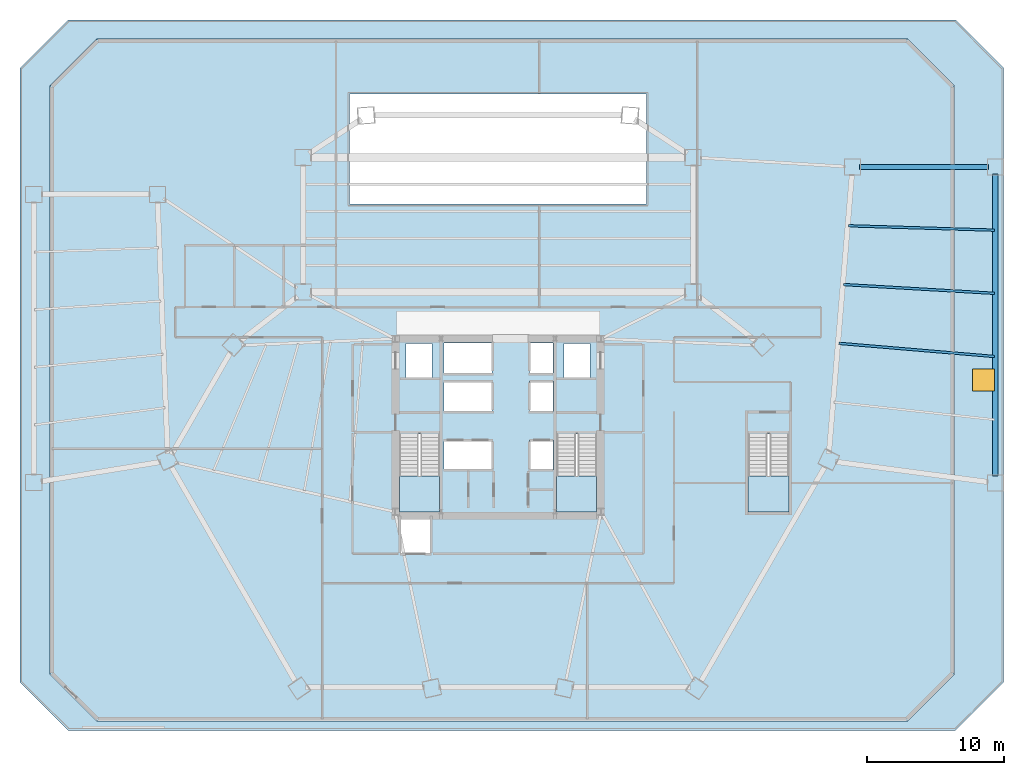
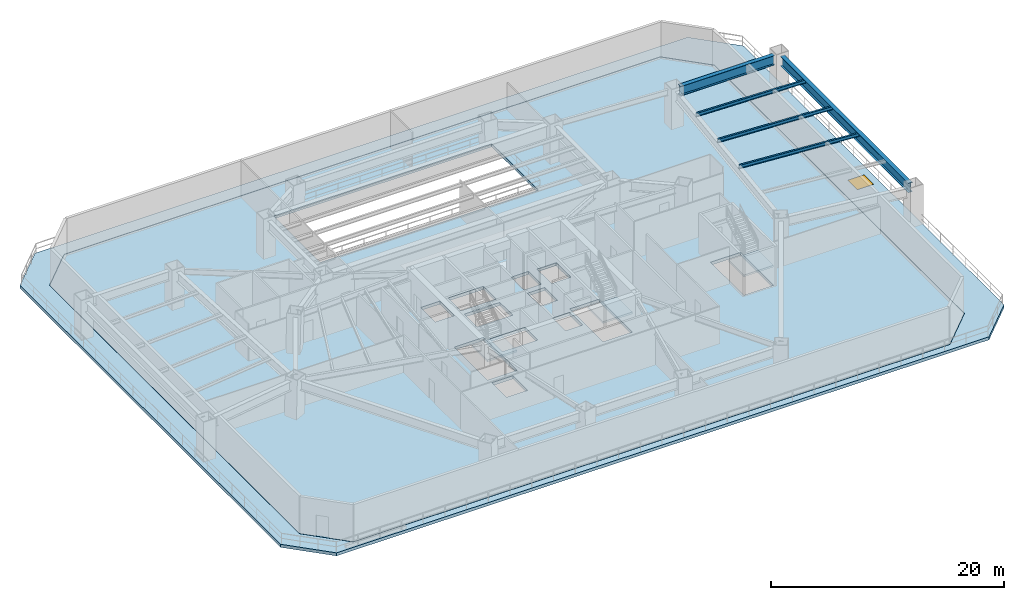
# One storey, part 4 of 12: 5 beams, 5 slabs, 1 window, 1 opening, 3 elements without a shape of their own.
"""IFC4 building model written with IfcOpenShell, lengths in metres."""

from ifc_helpers import new_model, si_unit, direction, frame, origin, origin_2d, place, context, subcontext, project, spatial, polyline, rectangle, i_section, outline, extrude, source, transform, mapped, material, layer, layer_set, material_profile, profile_set, type_object, type_shapes, element, fill, aggregate, save


model = new_model("IFC4")

# Units and contexts
model_context = context("Model", 3, precision=1e-05, world=origin(), true_north=direction((0.0, 1.0)))
body_context = subcontext(model_context, "Body", "Model", "MODEL_VIEW")
ifc_project = project(units=[si_unit("LENGTHUNIT", "METRE"), si_unit("AREAUNIT", "SQUARE_METRE"), si_unit("VOLUMEUNIT", "CUBIC_METRE"), si_unit("PLANEANGLEUNIT", "RADIAN"), si_unit("MASSUNIT", "GRAM", prefix="KILO")], contexts=[model_context])

# Site, building, storey
site_placement = place(None, origin())
site = spatial("IfcSite", under=ifc_project, at=site_placement, CompositionType="ELEMENT")
building_placement = place(site_placement, origin())
building = spatial("IfcBuilding", under=site, at=building_placement, Name="Caelisora Broadcast Tower", CompositionType="ELEMENT")
storey_placement = place(building_placement, frame((0.0, 0.0, 14.699951171875)))
storey = spatial("IfcBuildingStorey", under=building, at=storey_placement, Name="L03", CompositionType="ELEMENT", Elevation=14.699951171875)

# Beams
ifc_material_1 = material(Name="Steel Grade 350 (AS/NZS 3679.2)", Category="steel")
ifc_material_profile_1 = material_profile(ifc_material_1, i_section(OverallWidth=0.39990234375, OverallDepth=1.0, WebThickness=0.01611328125, FlangeThickness=0.028076171875, at=origin_2d()), Name="Steel Grade 350 (AS/NZS 3679.2)")
ifc_profile_set_1 = profile_set([ifc_material_profile_1], Name="Steel Grade 350 (AS/NZS 3679.2)")
beam_type_1 = type_object("IfcBeamType", Name="PG01", PredefinedType="BEAM", material=ifc_profile_set_1)
shared_shape_1 = source(origin(), body_context, "Body", "SweptSolid", [
    extrude(i_section(OverallWidth=0.39990234375, OverallDepth=1.0, WebThickness=0.01611328125, FlangeThickness=0.028076171875, at=origin_2d()), origin(), (0.0, 0.0, 1.0), 9.375),
])
beam_1_placement = place(storey_placement, frame((64.3125, 42.5, 3.380126953125), z_axis=(1.0, 0.0, 0.0), x_axis=(0.0, 1.0, 0.0)))
element("IfcBeam", 1, at=beam_1_placement, inside=storey, type_object=beam_type_1, Name="L03 beam PG01", PredefinedType="BEAM", context=body_context, shape_type="MappedRepresentation", body=[
    mapped(shared_shape_1, transform((0.0, 0.0, 0.0), scale=1.0)),
])
shared_shape_2 = source(origin(), body_context, "Body", "SweptSolid", [
    extrude(i_section(OverallWidth=0.39990234375, OverallDepth=1.0, WebThickness=0.01611328125, FlangeThickness=0.028076171875, at=origin_2d()), origin(), (0.0, 0.0, 1.0), 21.97509765625),
])
type_shapes(beam_type_1, [shared_shape_1, shared_shape_2])
beam_2_placement = place(storey_placement, frame((74.199951171875, 20.012451171875, 3.380126953125), z_axis=(0.0, 1.0, 0.0), x_axis=(-1.0, 0.0, 0.0)))
element("IfcBeam", 2, at=beam_2_placement, inside=storey, type_object=beam_type_1, Name="L03 beam PG01", PredefinedType="BEAM", context=body_context, shape_type="MappedRepresentation", body=[
    mapped(shared_shape_2, transform((0.0, 0.0, 0.0), scale=1.0)),
])
ifc_material_2 = material(Name="Steel Grade 350 (AS/NZS 3679.1)", Category="steel")
ifc_material_profile_2 = material_profile(ifc_material_2, i_section(OverallWidth=0.172119140625, OverallDepth=0.358642578125, WebThickness=0.008056640625, FlangeThickness=0.012939453125, at=origin_2d()), Name="Steel Grade 350 (AS/NZS 3679.1)")
ifc_profile_set_2 = profile_set([ifc_material_profile_2], Name="Steel Grade 350 (AS/NZS 3679.1)")
beam_type_2 = type_object("IfcBeamType", Name="SB02", PredefinedType="JOIST", material=ifc_profile_set_2)
shared_shape_3 = source(origin(), body_context, "Body", "SweptSolid", [
    extrude(i_section(OverallWidth=0.172119140625, OverallDepth=0.358642578125, WebThickness=0.008056640625, FlangeThickness=0.012939453125, at=origin_2d()), origin(), (0.0, 0.0, 1.0), 11.380126953125),
])
beam_3_placement = place(storey_placement, frame((62.800537109375, 29.664306640625, 3.70068359375), z_axis=(0.996441265469, -0.084290002197, 0.0), x_axis=(0.084290002197, 0.996441265469, 0.0)))
element("IfcBeam", 3, at=beam_3_placement, inside=storey, type_object=beam_type_2, Name="L03 beam SB02", PredefinedType="JOIST", context=body_context, shape_type="MappedRepresentation", body=[
    mapped(shared_shape_3, transform((0.0, 0.0, 0.0), scale=1.0)),
])
shared_shape_4 = source(origin(), body_context, "Body", "SweptSolid", [
    extrude(i_section(OverallWidth=0.172119140625, OverallDepth=0.358642578125, WebThickness=0.008056640625, FlangeThickness=0.012939453125, at=origin_2d()), origin(), (0.0, 0.0, 1.0), 11.0048828125),
])
beam_4_placement = place(storey_placement, frame((63.15380859375, 33.94287109375, 3.70068359375), z_axis=(0.998310670414, -0.058101681018, 0.0), x_axis=(0.058101681018, 0.998310670414, 0.0)))
element("IfcBeam", 4, at=beam_4_placement, inside=storey, type_object=beam_type_2, Name="L03 beam SB02", PredefinedType="JOIST", context=body_context, shape_type="MappedRepresentation", body=[
    mapped(shared_shape_4, transform((0.0, 0.0, 0.0), scale=1.0)),
])
shared_shape_5 = source(origin(), body_context, "Body", "SweptSolid", [
    extrude(i_section(OverallWidth=0.172119140625, OverallDepth=0.358642578125, WebThickness=0.008056640625, FlangeThickness=0.012939453125, at=origin_2d()), origin(), (0.0, 0.0, 1.0), 10.637939453125),
])
type_shapes(beam_type_2, [shared_shape_3, shared_shape_4, shared_shape_5])
beam_5_placement = place(storey_placement, frame((63.5068359375, 38.22119140625, 3.70068359375), z_axis=(0.99954933308, -0.030018839751, 0.0), x_axis=(0.030018839751, 0.99954933308, 0.0)))
element("IfcBeam", 5, at=beam_5_placement, inside=storey, type_object=beam_type_2, Name="L03 beam SB02", PredefinedType="JOIST", context=body_context, shape_type="MappedRepresentation", body=[
    mapped(shared_shape_5, transform((0.0, 0.0, 0.0), scale=1.0)),
])

# Slab
ifc_material_3 = material(Name="Concrete 40 MPa (AS 3600 N40)", Category="concrete")
ifc_layer_1 = layer(ifc_material_3, 0.320068359375, Name="Concrete 40 MPa (AS 3600 N40)")
ifc_layer_set_1 = layer_set([ifc_layer_1], Name="Concrete 40 MPa (AS 3600 N40)")
slab_type_1 = type_object("IfcSlabType", Name="SL01", PredefinedType="FLOOR", material=ifc_layer_set_1)
slab_1_placement = place(storey_placement, frame((0.0, 0.0, -0.320068359375)))
element("IfcSlab", 6, at=slab_1_placement, inside=storey, type_object=slab_type_1, Name="L03 suspended floor SL01", PredefinedType="FLOOR", context=body_context, shape_type="SweptSolid", body=[
    extrude(outline(polyline([(8.782958984375, 2.199951171875), (5.39990234375, 5.5830078125), (5.39990234375, 48.4169921875), (8.782958984375, 51.800048828125), (67.81689453125, 51.800048828125), (71.199951171875, 48.4169921875), (71.199951171875, 5.5830078125), (67.81689453125, 2.199951171875), (8.782958984375, 2.199951171875)]), holes=[polyline([(30.820068359375, 17.39990234375), (33.739990234375, 17.39990234375), (33.739990234375, 23.080078125), (30.820068359375, 23.080078125), (30.820068359375, 17.39990234375)]), polyline([(42.260009765625, 17.39990234375), (45.179931640625, 17.39990234375), (45.179931640625, 23.080078125), (42.260009765625, 23.080078125), (42.260009765625, 17.39990234375)]), polyline([(56.199951171875, 17.39990234375), (59.159912109375, 17.39990234375), (59.159912109375, 23.080078125), (56.199951171875, 23.080078125), (56.199951171875, 17.39990234375)]), polyline([(42.800048828125, 27.14990234375), (44.699951171875, 27.14990234375), (44.699951171875, 29.64990234375), (42.800048828125, 29.64990234375), (42.800048828125, 27.14990234375)]), polyline([(40.300048828125, 20.429931640625), (42.0, 20.429931640625), (42.0, 22.6298828125), (40.300048828125, 22.6298828125), (40.300048828125, 20.429931640625)]), polyline([(40.300048828125, 24.719970703125), (42.0, 24.719970703125), (42.0, 26.919921875), (40.300048828125, 26.919921875), (40.300048828125, 24.719970703125)]), polyline([(40.300048828125, 27.5), (42.0, 27.5), (42.0, 29.699951171875), (40.300048828125, 29.699951171875), (40.300048828125, 27.5)]), polyline([(34.050048828125, 27.5), (37.550048828125, 27.5), (37.550048828125, 29.699951171875), (34.050048828125, 29.699951171875), (34.050048828125, 27.5)]), polyline([(34.050048828125, 20.429931640625), (37.550048828125, 20.429931640625), (37.550048828125, 22.6298828125), (34.050048828125, 22.6298828125), (34.050048828125, 20.429931640625)]), polyline([(34.050048828125, 24.719970703125), (37.550048828125, 24.719970703125), (37.550048828125, 26.919921875), (34.050048828125, 26.919921875), (34.050048828125, 24.719970703125)]), polyline([(31.300048828125, 27.14990234375), (33.199951171875, 27.14990234375), (33.199951171875, 29.64990234375), (31.300048828125, 29.64990234375), (31.300048828125, 27.14990234375)]), polyline([(30.949951171875, 14.35009765625), (33.050048828125, 14.35009765625), (33.050048828125, 16.85009765625), (30.949951171875, 16.85009765625), (30.949951171875, 14.35009765625)]), polyline([(27.199951171875, 39.800048828125), (48.800048828125, 39.800048828125), (48.800048828125, 47.800048828125), (27.199951171875, 47.800048828125), (27.199951171875, 39.800048828125)])]), origin(), (0.0, 0.0, 1.0), 0.320068359375),
])

# Stair, slab
stair_type_1 = type_object("IfcStairType", Name="ST-1", PredefinedType="HALF_TURN_STAIR", material=ifc_material_3)
stair_1_placement = place(storey_placement, origin())
stair_1 = element("IfcStair", 7, at=stair_1_placement, inside=storey, type_object=stair_type_1, Name="L03 West Fire-Isolated Tower Stair", PredefinedType="HALF_TURN_STAIR")
ifc_layer_2 = layer(ifc_material_3, 0.199951171875, Name="Concrete 40 MPa (AS 3600 N40)")
ifc_layer_set_2 = layer_set([ifc_layer_2], Name="Concrete 40 MPa (AS 3600 N40)")
slab_type_2 = type_object("IfcSlabType", Name="STL-1", PredefinedType="LANDING", material=ifc_layer_set_2)
slab_2_placement = place(storey_placement, frame((0.0, 0.0, 1.900146484375)))
slab_2 = element("IfcSlab", 8, at=slab_2_placement, type_object=slab_type_2, Name="ST-1 landing 1", PredefinedType="LANDING", context=body_context, shape_type="SweptSolid", body=[
    extrude(outline(polyline([(30.820068359375, 20.02001953125), (30.820068359375, 17.39990234375), (33.739990234375, 17.39990234375), (33.739990234375, 20.02001953125), (30.820068359375, 20.02001953125)])), origin(), (0.0, 0.0, 1.0), 0.199951171875),
])
aggregate(stair_1, [slab_2])

stair_type_2 = type_object("IfcStairType", Name="ST-2", PredefinedType="HALF_TURN_STAIR", material=ifc_material_3)
stair_2_placement = place(storey_placement, origin())
stair_2 = element("IfcStair", 9, at=stair_2_placement, inside=storey, type_object=stair_type_2, Name="L03 East Fire-Isolated Tower Stair", PredefinedType="HALF_TURN_STAIR")
slab_3_placement = place(storey_placement, frame((0.0, 0.0, 1.900146484375)))
slab_3 = element("IfcSlab", 10, at=slab_3_placement, type_object=slab_type_2, Name="ST-2 landing 1", PredefinedType="LANDING", context=body_context, shape_type="SweptSolid", body=[
    extrude(outline(polyline([(42.260009765625, 20.02001953125), (42.260009765625, 17.39990234375), (45.179931640625, 17.39990234375), (45.179931640625, 20.02001953125), (42.260009765625, 20.02001953125)])), origin(), (0.0, 0.0, 1.0), 0.199951171875),
])
aggregate(stair_2, [slab_3])

stair_type_3 = type_object("IfcStairType", Name="ST-3", PredefinedType="HALF_TURN_STAIR", material=ifc_material_3)
stair_3_placement = place(storey_placement, origin())
stair_3 = element("IfcStair", 11, at=stair_3_placement, inside=storey, type_object=stair_type_3, Name="L03 Podium Broadcast Studio Exit Stair", PredefinedType="HALF_TURN_STAIR")
slab_4_placement = place(storey_placement, frame((0.0, 0.0, 1.900146484375)))
slab_4 = element("IfcSlab", 12, at=slab_4_placement, type_object=slab_type_2, Name="ST-3 landing 1", PredefinedType="LANDING", context=body_context, shape_type="SweptSolid", body=[
    extrude(outline(polyline([(56.199951171875, 20.02001953125), (56.199951171875, 17.39990234375), (59.159912109375, 17.39990234375), (59.159912109375, 20.02001953125), (56.199951171875, 20.02001953125)])), origin(), (0.0, 0.0, 1.0), 0.199951171875),
])
aggregate(stair_3, [slab_4])

# Slab, opening, window
ifc_layer_3 = layer(ifc_material_3, 0.320068359375, Name="Concrete 40 MPa (AS 3600 N40)")
ifc_layer_set_3 = layer_set([ifc_layer_3], Name="Concrete 40 MPa (AS 3600 N40)")
slab_type_3 = type_object("IfcSlabType", Name="TR03", PredefinedType="FLOOR", material=ifc_layer_set_3)
slab_5_placement = place(storey_placement, frame((0.0, 0.0, -0.320068359375)))
slab_5 = element("IfcSlab", 13, at=slab_5_placement, inside=storey, type_object=slab_type_3, Name="L03 outdoor terrace slab TR03", PredefinedType="FLOOR", context=body_context, shape_type="SweptSolid", body=[
    extrude(outline(polyline([(3.199951171875, 5.0), (3.199951171875, 49.699951171875), (6.699951171875, 53.199951171875), (71.300048828125, 53.199951171875), (74.800048828125, 49.699951171875), (74.800048828125, 5.0), (71.300048828125, 1.5), (6.699951171875, 1.5), (3.199951171875, 5.0)]), holes=[polyline([(67.824951171875, 2.179931640625), (71.219970703125, 5.574951171875), (71.219970703125, 48.425048828125), (67.824951171875, 51.820068359375), (8.77490234375, 51.820068359375), (5.3798828125, 48.425048828125), (5.3798828125, 5.574951171875), (8.77490234375, 2.179931640625), (67.824951171875, 2.179931640625)])]), origin(), (0.0, 0.0, 1.0), 0.320068359375),
])
opening_placement = place(slab_5_placement, frame((73.324951171875, 27.0, 0.0)))
opening = element("IfcOpeningElement", 14, at=opening_placement, cuts=slab_5, Name="Opening SK01", PredefinedType="OPENING", context=body_context, shape_type="SweptSolid", body=[
    extrude(rectangle(XDim=1.60009765625, YDim=1.60009765625, at=origin_2d()), origin(), (0.0, 0.0, 1.0), 0.320068359375),
])
ifc_material_4 = material(Name="Thermally Broken Laminated Podium Skylight", Category="glass")
window_type = type_object("IfcWindowType", Name="SK01", PartitioningType="SINGLE_PANEL", PredefinedType="SKYLIGHT", material=ifc_material_4)
window_placement = place(opening_placement, frame((0.0, 0.0, 0.27001953125)))
window = element("IfcWindow", 15, at=window_placement, inside=storey, type_object=window_type, Name="L03 podium terrace skylight SK01", OverallHeight=1.60009765625, OverallWidth=1.60009765625, PartitioningType="SINGLE_PANEL", PredefinedType="SKYLIGHT", context=body_context, shape_type="SweptSolid", body=[
    extrude(rectangle(XDim=1.60009765625, YDim=1.60009765625, at=origin_2d()), origin(), (0.0, 0.0, 1.0), 0.050048828125),
])
fill(opening, window)

save(model, "model.ifc")
